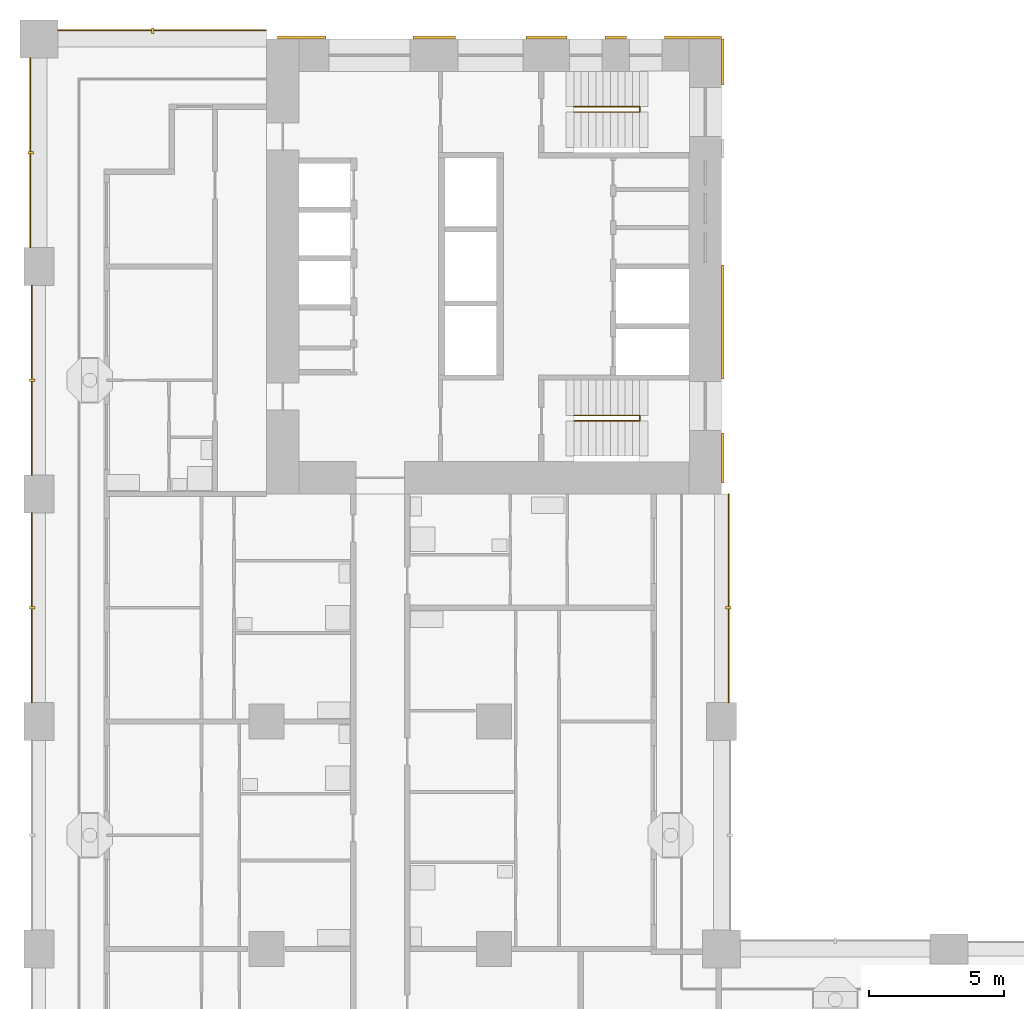
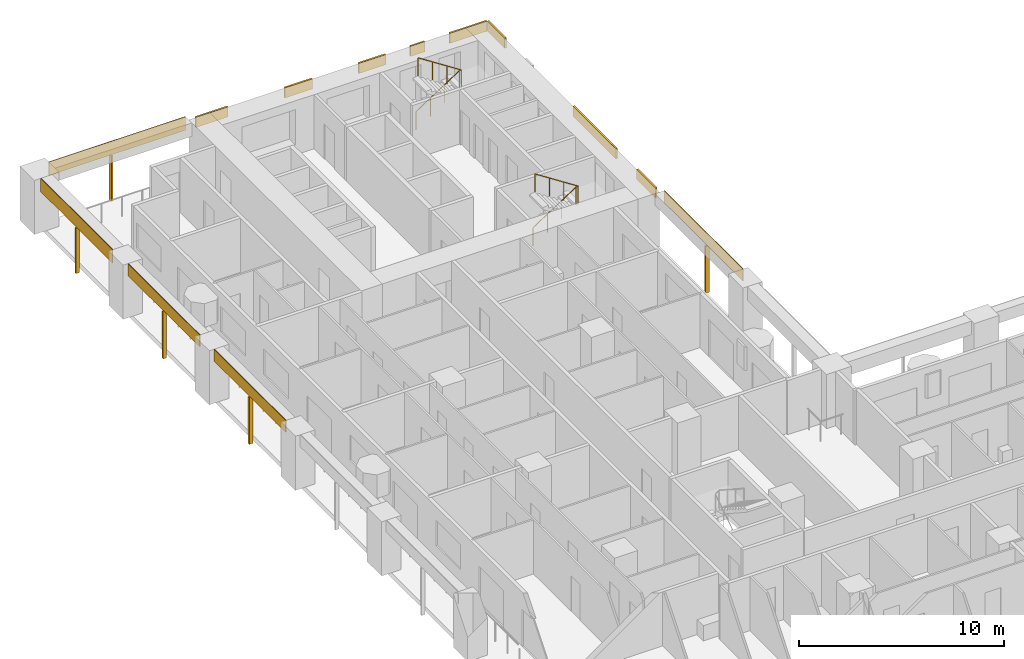
# One storey, part 16 of 22: 18 shading devices, 2 railings.
"""IFC4 building model written with IfcOpenShell, lengths in metres."""

import ifcopenshell
import ifcopenshell.guid

model = None  # the IFC model being written
_history = None  # IfcOwnerHistory: only IFC2X3 demands one
_inside = {}  # id of a spatial element -> (the spatial element, [elements in it])
_under = {}  # id of a project, library or spatial element -> (it, [spatial elements below it])
_declared = {}  # id of a project -> (the project, [libraries it declares])
_typed = {}  # id of a type object -> (the type object, [elements of that type])
_made_of = {}  # id of a material, layer set ... -> (it, [elements and type objects made of it])


def new_model(schema):
    """Start an empty IFC model of exactly this schema.

    Asked for "IFC4X3", IfcOpenShell would pick the latest addendum, in which some entities
    have other attributes; the version numbers below select the first issue.
    IFC2X3 requires an IfcOwnerHistory on every rooted entity: one is made here for all.
    """
    global model, _history
    if schema == "IFC4X3":
        model = ifcopenshell.file(schema_version=(4, 3, 0, 0))
    else:
        model = ifcopenshell.file(schema=schema)
    _inside.clear()
    _under.clear()
    _declared.clear()
    _typed.clear()
    _made_of.clear()
    _history = None
    if model.schema == "IFC2X3":
        org = make("IfcOrganization", Name="unknown")
        user = make(
            "IfcPersonAndOrganization",
            ThePerson=make("IfcPerson", FamilyName="unknown"),
            TheOrganization=org,
        )
        app = make(
            "IfcApplication",
            ApplicationDeveloper=org,
            Version="unknown",
            ApplicationFullName="unknown",
            ApplicationIdentifier="unknown",
        )
        _history = make(
            "IfcOwnerHistory",
            OwningUser=user,
            OwningApplication=app,
            ChangeAction="ADDED",
            CreationDate=0,
        )
    return model


def make(cls, **values):
    """One entity of the class cls with the attributes given. An attribute that is None is left unset."""
    return model.create_entity(
        cls, **{name: value for name, value in values.items() if value is not None}
    )


def rooted(cls, **values):
    """An entity with a GlobalId (a new one), such as an element, a storey or a relation."""
    return make(cls, GlobalId=ifcopenshell.guid.new(), OwnerHistory=_history, **values)


def si_unit(unit_type, name, prefix=None):
    """IfcSIUnit, for example si_unit("LENGTHUNIT", "METRE", prefix="MILLI")."""
    return make("IfcSIUnit", UnitType=unit_type, Prefix=prefix, Name=name)


def assignment(units):
    """IfcUnitAssignment: the units of a project."""
    return None if units is None else make("IfcUnitAssignment", Units=units)


def point(xyz):
    """IfcCartesianPoint."""
    return None if xyz is None else make("IfcCartesianPoint", Coordinates=xyz)


def direction(xyz):
    """IfcDirection."""
    return None if xyz is None else make("IfcDirection", DirectionRatios=xyz)


def frame(location, z_axis=None, x_axis=None):
    """IfcAxis2Placement3D, a coordinate frame: its origin and axes. An axis left out is left unset."""
    return make(
        "IfcAxis2Placement3D",
        Location=point(location),
        Axis=direction(z_axis),
        RefDirection=direction(x_axis),
    )


def frame_2d(location, x_axis=None):
    """IfcAxis2Placement2D, a coordinate frame in the plane: its origin and x axis."""
    return make(
        "IfcAxis2Placement2D", Location=point(location), RefDirection=direction(x_axis)
    )


def origin():
    """The frame at (0, 0, 0) with its axes left unset."""
    return frame((0.0, 0.0, 0.0))


def origin_2d():
    """The frame at (0, 0) in the plane with its x axis left unset."""
    return frame_2d((0.0, 0.0))


def place(relative_to, where):
    """IfcLocalPlacement: puts the frame where relative to a parent placement (None: the world)."""
    return make(
        "IfcLocalPlacement", PlacementRelTo=relative_to, RelativePlacement=where
    )


def context(
    kind, dimensions, precision=None, world=None, true_north=None, identifier=None
):
    """IfcGeometricRepresentationContext, for example the 3D "Model" context."""
    return make(
        "IfcGeometricRepresentationContext",
        ContextIdentifier=identifier,
        ContextType=kind,
        CoordinateSpaceDimension=dimensions,
        Precision=precision,
        WorldCoordinateSystem=world,
        TrueNorth=true_north,
    )


def subcontext(parent, identifier, kind, view, scale=None):
    """IfcGeometricRepresentationSubContext, for example "Body" below "Model"."""
    return make(
        "IfcGeometricRepresentationSubContext",
        ContextIdentifier=identifier,
        ContextType=kind,
        ParentContext=parent,
        TargetScale=scale,
        TargetView=view,
    )


def project(units=None, contexts=None):
    """IfcProject with its units and contexts."""
    return rooted(
        "IfcProject",
        Name="project",
        RepresentationContexts=contexts,
        UnitsInContext=assignment(units),
    )


def spatial(cls, under=None, at=None, **own):
    """A site, building, storey or space (cls), placed at a placement, below another one or the project."""
    s = rooted(cls, ObjectPlacement=at, **own)
    if under is not None:
        _under.setdefault(under.id(), (under, []))[1].append(s)
    return s


def profile(cls, at=None, kind="AREA", **sizes):
    """A parametric profile (cls). Its sizes go by their IFC names, for example OverallWidth=200.0."""
    return make(cls, ProfileType=kind, Position=at, **sizes)


def rectangle(**sizes):
    """IfcRectangleProfileDef."""
    return profile("IfcRectangleProfileDef", **sizes)


def circle(**sizes):
    """IfcCircleProfileDef."""
    return profile("IfcCircleProfileDef", **sizes)


def extrude(swept, where, along, depth):
    """IfcExtrudedAreaSolid: the profile swept, set in the frame where, extruded along a direction by depth."""
    return make(
        "IfcExtrudedAreaSolid",
        SweptArea=swept,
        Position=where,
        ExtrudedDirection=direction(along),
        Depth=depth,
    )


def shape(context_of_items, identifier, shape_type, items):
    """IfcShapeRepresentation: the items that make up one representation, for example the "Body"."""
    return make(
        "IfcShapeRepresentation",
        ContextOfItems=context_of_items,
        RepresentationIdentifier=identifier,
        RepresentationType=shape_type,
        Items=items,
    )


def material(Name=None, Category=None):
    """IfcMaterial."""
    return make("IfcMaterial", Name=Name, Category=Category)


def layer(
    of_material, thickness, ventilated=None, Name=None, Category=None, Priority=None
):
    """IfcMaterialLayer: one layer of a wall or slab, of a material (None: an air gap)."""
    return make(
        "IfcMaterialLayer",
        Material=of_material,
        LayerThickness=thickness,
        IsVentilated=ventilated,
        Name=Name,
        Category=Category,
        Priority=Priority,
    )


def layer_set(layers, Name=None):
    """IfcMaterialLayerSet."""
    return make("IfcMaterialLayerSet", MaterialLayers=layers, LayerSetName=Name)


def material_profile(
    of_material, cross_section, Name=None, Category=None, Priority=None
):
    """IfcMaterialProfile: a cross section and its material."""
    return make(
        "IfcMaterialProfile",
        Name=Name,
        Material=of_material,
        Profile=cross_section,
        Priority=Priority,
        Category=Category,
    )


def profile_set(profiles, Name=None, composite=None):
    """IfcMaterialProfileSet."""
    return make(
        "IfcMaterialProfileSet",
        Name=Name,
        MaterialProfiles=profiles,
        CompositeProfile=composite,
    )


def made_of(thing, what):
    """Note that an element or type object is made of a material, layer set ...; save() writes the relation."""
    if what is not None:
        _made_of.setdefault(what.id(), (what, []))[1].append(thing)
    return thing


def type_object(cls, material=None, **own):
    """A type object (cls), such as IfcWallType, which elements share."""
    return made_of(rooted(cls, **own), material)


def element(
    cls,
    number,
    at=None,
    inside=None,
    cuts=None,
    type_object=None,
    material=None,
    context=None,
    identifier="Body",
    shape_type=None,
    held_by="IfcProductDefinitionShape",
    body=None,
    shapes=None,
    **own,
):
    """One element of the class cls, such as IfcWall. Its Tag is "e" and its number.

    at: its placement. inside: the storey or other place that contains it. cuts: it is an
    opening in that element (IfcRelVoidsElement). A single representation is given by context,
    identifier, shape_type and body (its items); several are given by shapes. held_by: the class
    of the entity that holds the representations. save() writes the other relations.
    """
    e = rooted(cls, Tag="e%d" % number, ObjectPlacement=at, **own)
    if body is not None:
        shapes = [shape(context, identifier, shape_type, body)]
    if shapes is not None:
        e.Representation = make(held_by, Representations=shapes)
    if inside is not None:
        _inside.setdefault(inside.id(), (inside, []))[1].append(e)
    if cuts is not None:
        rooted(
            "IfcRelVoidsElement", RelatingBuildingElement=cuts, RelatedOpeningElement=e
        )
    if type_object is not None:
        _typed.setdefault(type_object.id(), (type_object, []))[1].append(e)
    return made_of(e, material)


def aggregate(whole, parts):
    """IfcRelAggregates: a whole, such as a stair, and the parts it consists of."""
    return rooted("IfcRelAggregates", RelatingObject=whole, RelatedObjects=parts)


def save(model, path):
    """Write the relations noted so far, then the file.

    IfcRelAggregates (storeys below a building ...), IfcRelContainedInSpatialStructure (elements
    in a storey), IfcRelDefinesByType, IfcRelAssociatesMaterial and IfcRelDeclares: one each for
    every whole, place, type object, material and project.
    """
    for whole, parts in _under.values():
        aggregate(whole, parts)
    for where, things in _inside.values():
        rooted(
            "IfcRelContainedInSpatialStructure",
            RelatedElements=things,
            RelatingStructure=where,
        )
    for kind, things in _typed.values():
        rooted("IfcRelDefinesByType", RelatedObjects=things, RelatingType=kind)
    for what, things in _made_of.values():
        rooted("IfcRelAssociatesMaterial", RelatedObjects=things, RelatingMaterial=what)
    for by, libraries in _declared.values():
        rooted("IfcRelDeclares", RelatingContext=by, RelatedDefinitions=libraries)
    model.write(path)


model = new_model("IFC4")

# Units and contexts
model_context = context("Model", 3, precision=1e-05, world=origin(), true_north=direction((0.0, 1.0)))
body_context = subcontext(model_context, "Body", "Model", "MODEL_VIEW")
ifc_project = project(units=[si_unit("LENGTHUNIT", "METRE"), si_unit("AREAUNIT", "SQUARE_METRE"), si_unit("VOLUMEUNIT", "CUBIC_METRE"), si_unit("PLANEANGLEUNIT", "RADIAN"), si_unit("MASSUNIT", "GRAM", prefix="KILO")], contexts=[model_context])

# Site, building, storey
site_placement = place(None, origin())
site = spatial("IfcSite", under=ifc_project, at=site_placement, CompositionType="ELEMENT")
building_placement = place(site_placement, origin())
building = spatial("IfcBuilding", under=site, at=building_placement, Name="Vermilion Gate Residences", CompositionType="ELEMENT")
storey_placement = place(building_placement, frame((0.0, 0.0, 63.699951171875)))
storey = spatial("IfcBuildingStorey", under=building, at=storey_placement, Name="L15", CompositionType="ELEMENT", Elevation=63.699951171875)

# Shading devices
ifc_material_1 = material(Name="Perforated terracotta", Category="masonry")
ifc_layer_1 = layer(ifc_material_1, 0.0400390625)
ifc_layer_set_1 = layer_set([ifc_layer_1], Name="PERFORATED TERRACOTTA SCREEN 40")
shading_device_type_1 = type_object("IfcShadingDeviceType", Name="PERFORATED TERRACOTTA SCREEN 40", PredefinedType="SHUTTER", material=ifc_layer_set_1)
shading_device_1_placement = place(storey_placement, frame((25.469970703125, 38.14990234375, 2.52001953125), z_axis=(0.0, 0.0, 1.0), x_axis=(0.0, 1.0, 0.0)))
element("IfcShadingDevice", 1, at=shading_device_1_placement, inside=storey, type_object=shading_device_type_1, Name="SCREEN", PredefinedType="SHUTTER", context=body_context, shape_type="SweptSolid", body=[
    extrude(rectangle(XDim=7.699951171875, YDim=0.0400390625, at=origin_2d()), origin(), (0.0, 0.0, 1.0), 0.699951171875),
])
shading_device_2_placement = place(storey_placement, frame((4.550048828125, 59.1201171875, 2.419921875), z_axis=(0.0, 0.0, 1.0), x_axis=(-1.0, 0.0, 0.0)))
element("IfcShadingDevice", 2, at=shading_device_2_placement, inside=storey, type_object=shading_device_type_1, Name="SCREEN", PredefinedType="SHUTTER", context=body_context, shape_type="SweptSolid", body=[
    extrude(rectangle(XDim=7.699951171875, YDim=0.0400390625, at=origin_2d()), origin(), (0.0, 0.0, 1.0), 0.800048828125),
])
for number, where, z_axis, x_axis, name in (
    (3, (-0.27001953125, 37.800048828125, 2.52001953125), (0.0, 0.0, 1.0), (0.0, -1.0, 0.0), "SCREEN"),
    (4, (-0.27001953125, 46.199951171875, 2.52001953125), (0.0, 0.0, 1.0), (0.0, -1.0, 0.0), "SCREEN"),
):
    element("IfcShadingDevice", number, at=place(storey_placement, frame(where, z_axis=z_axis, x_axis=x_axis)), inside=storey, type_object=shading_device_type_1, Name=name, PredefinedType="SHUTTER", context=body_context, shape_type="SweptSolid", body=[
        extrude(rectangle(XDim=7.0, YDim=0.0400390625, at=origin_2d()), origin(), (0.0, 0.0, 1.0), 0.699951171875),
    ])
shading_device_3_placement = place(storey_placement, frame((-0.320068359375, 54.60009765625, 2.419921875), z_axis=(0.0, 0.0, 1.0), x_axis=(0.0, -1.0, 0.0)))
element("IfcShadingDevice", 5, at=shading_device_3_placement, inside=storey, type_object=shading_device_type_1, Name="SCREEN", PredefinedType="SHUTTER", context=body_context, shape_type="SweptSolid", body=[
    extrude(rectangle(XDim=7.0, YDim=0.0400390625, at=origin_2d()), origin(), (0.0, 0.0, 1.0), 0.800048828125),
])

# Railings
ifc_material_2 = material(Name="Steel S355", Category="steel")
railing_type = type_object("IfcRailingType", Name="STAIR GUARD 1100 STEEL", PredefinedType="GUARDRAIL", material=ifc_material_2)
for number, where, name in (
    (6, (19.75, 56.300048828125, 0.175048828125), "Stair well guard STB1-15"),
    (7, (19.75, 44.89990234375, 0.175048828125), "Stair well guard STB2-15"),
):
    element("IfcRailing", number, at=place(storey_placement, frame(where)), inside=storey, type_object=railing_type, Name=name, PredefinedType="GUARDRAIL", context=body_context, shape_type="SweptSolid", body=[
        extrude(circle(Radius=0.02392578125, at=origin_2d()), frame((0.0, 0.0, 1.076171875), z_axis=(0.839153699163, 0.0, 0.543894354798), x_axis=(0.0, 1.0, 0.0)), (0.0, 0.0, 1.0), 2.895751953125),
        extrude(circle(Radius=0.02392578125, at=origin_2d()), frame((2.429931640625, 0.0, 2.65087890625), z_axis=(0.0, -0.752405939678, 0.658699705433), x_axis=(1.0, 0.0, 0.0)), (0.0, 0.0, 1.0), 0.265869140625),
        extrude(circle(Radius=0.02392578125, at=origin_2d()), frame((2.429931640625, -0.199951171875, 2.826171875), z_axis=(-0.839153699163, 0.0, 0.543894354798), x_axis=(0.0, -1.0, 0.0)), (0.0, 0.0, 1.0), 2.895751953125),
        extrude(circle(Radius=0.02099609375, at=origin_2d()), origin(), (0.0, 0.0, 1.0), 1.052001953125),
        extrude(circle(Radius=0.02099609375, at=origin_2d()), frame((0.81005859375, 0.0, 0.52490234375)), (0.0, 0.0, 1.0), 1.052001953125),
        extrude(circle(Radius=0.02099609375, at=origin_2d()), frame((1.619873046875, 0.0, 1.050048828125)), (0.0, 0.0, 1.0), 1.052001953125),
        extrude(circle(Radius=0.02099609375, at=origin_2d()), frame((2.429931640625, 0.0, 1.574951171875)), (0.0, 0.0, 1.0), 1.052001953125),
        extrude(circle(Radius=0.02099609375, at=origin_2d()), frame((2.429931640625, -0.199951171875, 1.75)), (0.0, 0.0, 1.0), 1.052001953125),
        extrude(circle(Radius=0.02099609375, at=origin_2d()), frame((1.619873046875, -0.199951171875, 2.27490234375)), (0.0, 0.0, 1.0), 1.052001953125),
        extrude(circle(Radius=0.02099609375, at=origin_2d()), frame((0.81005859375, -0.199951171875, 2.800048828125)), (0.0, 0.0, 1.0), 1.052001953125),
        extrude(circle(Radius=0.02099609375, at=origin_2d()), frame((0.0, -0.199951171875, 3.324951171875)), (0.0, 0.0, 1.0), 1.052001953125),
    ])

# Shading devices
ifc_material_3 = material(Name="Extruded terracotta", Category="masonry")
ifc_material_profile = material_profile(ifc_material_3, rectangle(XDim=0.199951171875, YDim=0.10009765625, at=origin_2d()), Name="BAGUETTE 100 X 200")
ifc_profile_set = profile_set([ifc_material_profile], Name="Extruded terracotta")
shading_device_type_2 = type_object("IfcShadingDeviceType", Name="TERRACOTTA BAGUETTE 100 X 200", PredefinedType="JALOUSIE", material=ifc_profile_set)
shading_device_4_placement = place(storey_placement, frame((25.449951171875, 37.800048828125, -0.280029296875), z_axis=(0.0, 0.0, 1.0), x_axis=(-1.0, 0.0, 0.0)))
element("IfcShadingDevice", 8, at=shading_device_4_placement, inside=storey, type_object=shading_device_type_2, Name="BAGUETTE", PredefinedType="JALOUSIE", context=body_context, shape_type="SweptSolid", body=[
    extrude(rectangle(XDim=0.199951171875, YDim=0.10009765625, at=origin_2d()), origin(), (0.0, 0.0, 1.0), 2.800048828125),
])
shading_device_5_placement = place(storey_placement, frame((4.199951171875, 59.10009765625, -0.280029296875), z_axis=(0.0, 0.0, 1.0), x_axis=(0.0, -1.0, 0.0)))
element("IfcShadingDevice", 9, at=shading_device_5_placement, inside=storey, type_object=shading_device_type_2, Name="BAGUETTE", PredefinedType="JALOUSIE", context=body_context, shape_type="SweptSolid", body=[
    extrude(rectangle(XDim=0.199951171875, YDim=0.10009765625, at=origin_2d()), origin(), (0.0, 0.0, 1.0), 2.7001953125),
])
for number, where, z_axis, x_axis, name in (
    (10, (-0.25, 37.800048828125, -0.280029296875), (0.0, 0.0, 1.0), (1.0, 0.0, 0.0), "BAGUETTE"),
    (11, (-0.25, 46.199951171875, -0.280029296875), (0.0, 0.0, 1.0), (1.0, 0.0, 0.0), "BAGUETTE"),
):
    element("IfcShadingDevice", number, at=place(storey_placement, frame(where, z_axis=z_axis, x_axis=x_axis)), inside=storey, type_object=shading_device_type_2, Name=name, PredefinedType="JALOUSIE", context=body_context, shape_type="SweptSolid", body=[
        extrude(rectangle(XDim=0.199951171875, YDim=0.10009765625, at=origin_2d()), origin(), (0.0, 0.0, 1.0), 2.800048828125),
    ])
shading_device_6_placement = place(storey_placement, frame((-0.300048828125, 54.60009765625, -0.280029296875), z_axis=(0.0, 0.0, 1.0), x_axis=(1.0, 0.0, 0.0)))
element("IfcShadingDevice", 12, at=shading_device_6_placement, inside=storey, type_object=shading_device_type_2, Name="BAGUETTE", PredefinedType="JALOUSIE", context=body_context, shape_type="SweptSolid", body=[
    extrude(rectangle(XDim=0.199951171875, YDim=0.10009765625, at=origin_2d()), origin(), (0.0, 0.0, 1.0), 2.7001953125),
])
ifc_material_4 = material(Name="Extruded terracotta", Category="masonry")
ifc_layer_2 = layer(ifc_material_4, 0.10009765625)
ifc_layer_set_2 = layer_set([ifc_layer_2], Name="TERRACOTTA SPANDREL BAND 600 X 100")
shading_device_type_3 = type_object("IfcShadingDeviceType", Name="TERRACOTTA SPANDREL BAND 600 X 100", PredefinedType="USERDEFINED", material=ifc_layer_set_2)
shading_device_7_placement = place(storey_placement, frame((9.702392578125, 58.85009765625, 2.6201171875), z_axis=(0.0, 0.0, 1.0), x_axis=(1.0, 0.0, 0.0)))
element("IfcShadingDevice", 13, at=shading_device_7_placement, inside=storey, type_object=shading_device_type_3, Name="SPANDREL BAND", ObjectType="BAND", PredefinedType="USERDEFINED", context=body_context, shape_type="SweptSolid", body=[
    extrude(rectangle(XDim=1.804931640625, YDim=0.10009765625, at=origin_2d()), origin(), (0.0, 0.0, 1.0), 0.60009765625),
])
shading_device_8_placement = place(storey_placement, frame((14.590087890625, 58.85009765625, 2.6201171875), z_axis=(0.0, 0.0, 1.0), x_axis=(1.0, 0.0, 0.0)))
element("IfcShadingDevice", 14, at=shading_device_8_placement, inside=storey, type_object=shading_device_type_3, Name="SPANDREL BAND", ObjectType="BAND", PredefinedType="USERDEFINED", context=body_context, shape_type="SweptSolid", body=[
    extrude(rectangle(XDim=1.570068359375, YDim=0.10009765625, at=origin_2d()), origin(), (0.0, 0.0, 1.0), 0.60009765625),
])
shading_device_9_placement = place(storey_placement, frame((18.734130859375, 58.85009765625, 2.6201171875), z_axis=(0.0, 0.0, 1.0), x_axis=(1.0, 0.0, 0.0)))
element("IfcShadingDevice", 15, at=shading_device_9_placement, inside=storey, type_object=shading_device_type_3, Name="SPANDREL BAND", ObjectType="BAND", PredefinedType="USERDEFINED", context=body_context, shape_type="SweptSolid", body=[
    extrude(rectangle(XDim=1.518310546875, YDim=0.10009765625, at=origin_2d()), origin(), (0.0, 0.0, 1.0), 0.60009765625),
])
shading_device_10_placement = place(storey_placement, frame((21.294921875, 58.85009765625, 2.6201171875), z_axis=(0.0, 0.0, 1.0), x_axis=(1.0, 0.0, 0.0)))
element("IfcShadingDevice", 16, at=shading_device_10_placement, inside=storey, type_object=shading_device_type_3, Name="SPANDREL BAND", ObjectType="BAND", PredefinedType="USERDEFINED", context=body_context, shape_type="SweptSolid", body=[
    extrude(rectangle(XDim=0.803466796875, YDim=0.10009765625, at=origin_2d()), origin(), (0.0, 0.0, 1.0), 0.60009765625),
])
shading_device_11_placement = place(storey_placement, frame((24.1484375, 58.85009765625, 2.6201171875), z_axis=(0.0, 0.0, 1.0), x_axis=(1.0, 0.0, 0.0)))
element("IfcShadingDevice", 17, at=shading_device_11_placement, inside=storey, type_object=shading_device_type_3, Name="SPANDREL BAND", ObjectType="BAND", PredefinedType="USERDEFINED", context=body_context, shape_type="SweptSolid", body=[
    extrude(rectangle(XDim=2.103271484375, YDim=0.10009765625, at=origin_2d()), origin(), (0.0, 0.0, 1.0), 0.60009765625),
])
shading_device_12_placement = place(storey_placement, frame((25.25, 43.324951171875, 2.6201171875), z_axis=(0.0, 0.0, 1.0), x_axis=(0.0, 1.0, 0.0)))
element("IfcShadingDevice", 18, at=shading_device_12_placement, inside=storey, type_object=shading_device_type_3, Name="SPANDREL BAND", ObjectType="BAND", PredefinedType="USERDEFINED", context=body_context, shape_type="SweptSolid", body=[
    extrude(rectangle(XDim=1.85009765625, YDim=0.10009765625, at=origin_2d()), origin(), (0.0, 0.0, 1.0), 0.60009765625),
])
shading_device_13_placement = place(storey_placement, frame((25.25, 48.35009765625, 2.6201171875), z_axis=(0.0, 0.0, 1.0), x_axis=(0.0, 1.0, 0.0)))
element("IfcShadingDevice", 19, at=shading_device_13_placement, inside=storey, type_object=shading_device_type_3, Name="SPANDREL BAND", ObjectType="BAND", PredefinedType="USERDEFINED", context=body_context, shape_type="SweptSolid", body=[
    extrude(rectangle(XDim=4.199951171875, YDim=0.10009765625, at=origin_2d()), origin(), (0.0, 0.0, 1.0), 0.60009765625),
])
shading_device_14_placement = place(storey_placement, frame((25.25, 57.949951171875, 2.6201171875), z_axis=(0.0, 0.0, 1.0), x_axis=(0.0, 1.0, 0.0)))
element("IfcShadingDevice", 20, at=shading_device_14_placement, inside=storey, type_object=shading_device_type_3, Name="SPANDREL BAND", ObjectType="BAND", PredefinedType="USERDEFINED", context=body_context, shape_type="SweptSolid", body=[
    extrude(rectangle(XDim=1.699951171875, YDim=0.10009765625, at=origin_2d()), origin(), (0.0, 0.0, 1.0), 0.60009765625),
])

save(model, "model.ifc")
